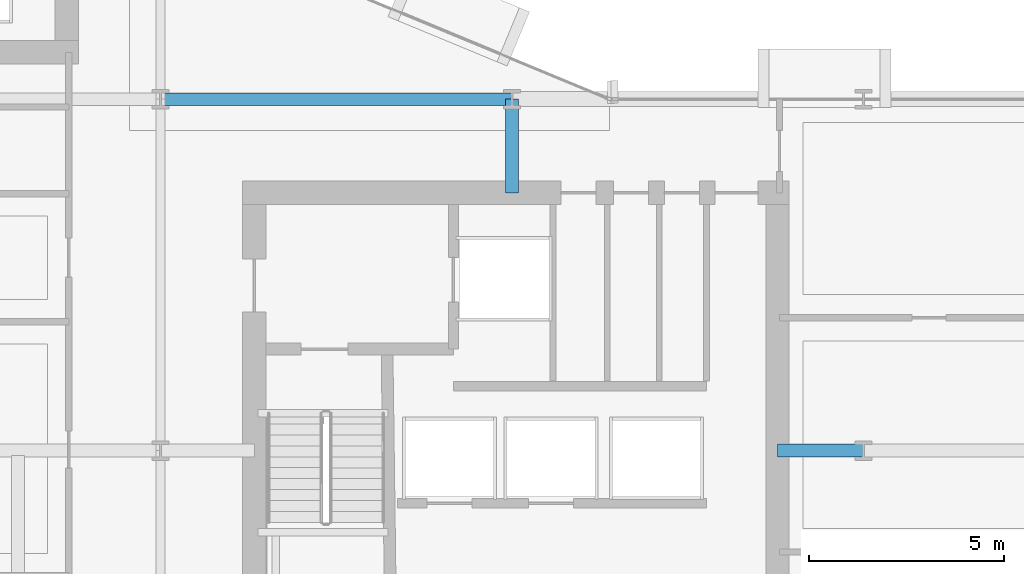
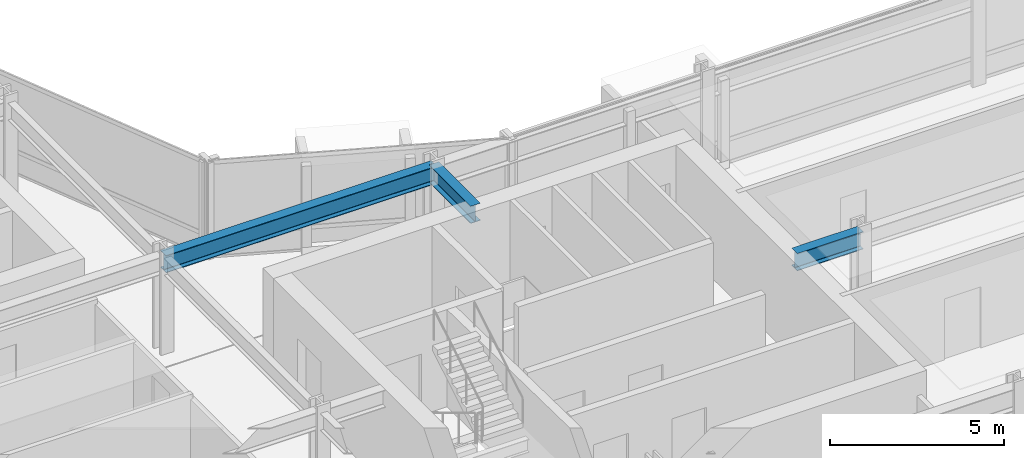
# One storey, part 14 of 34: 3 beams.
"""IFC4 building model written with IfcOpenShell, lengths in metres."""

from ifc_helpers import new_model, si_unit, direction, frame, origin, origin_2d, place, context, subcontext, project, spatial, i_section, extrude, material, material_profile, profile_set, type_object, element, save


model = new_model("IFC4")

# Units and contexts
model_context = context("Model", 3, precision=1e-05, world=origin(), true_north=direction((0.0, 1.0)))
body_context = subcontext(model_context, "Body", "Model", "MODEL_VIEW")
ifc_project = project(units=[si_unit("LENGTHUNIT", "METRE"), si_unit("AREAUNIT", "SQUARE_METRE"), si_unit("VOLUMEUNIT", "CUBIC_METRE"), si_unit("PLANEANGLEUNIT", "RADIAN"), si_unit("MASSUNIT", "GRAM", prefix="KILO")], contexts=[model_context])

# Site, building, storey
site_placement = place(None, origin())
site = spatial("IfcSite", under=ifc_project, at=site_placement, CompositionType="ELEMENT")
building_placement = place(site_placement, origin())
building = spatial("IfcBuilding", under=site, at=building_placement, Name="Solvaryn Broadcast Tower", CompositionType="ELEMENT")
storey_placement = place(building_placement, frame((0.0, 0.0, 43.39990234375)))
storey = spatial("IfcBuildingStorey", under=building, at=storey_placement, Name="L09", CompositionType="ELEMENT", Elevation=43.39990234375)

# Beams
ifc_material = material(Name="Steel ASTM A992 Grade 50", Category="steel")
ifc_material_profile = material_profile(ifc_material, i_section(OverallWidth=0.323974609375, OverallDepth=0.611083984375, WebThickness=0.0126953125, FlangeThickness=0.01904296875, FilletRadius=0.014892578125, at=origin_2d()))
ifc_profile_set = profile_set([ifc_material_profile], Name="Steel ASTM A992 Grade 50")
beam_type = type_object("IfcBeamType", Name="BM-B1-W24X104", PredefinedType="BEAM", material=ifc_profile_set)
beam_1_placement = place(storey_placement, frame((27.0, 27.0, 3.114501953125), z_axis=(1.0, 0.0, 0.0), x_axis=(0.0, 1.0, 0.0)))
element("IfcBeam", 1, at=beam_1_placement, inside=storey, type_object=beam_type, Name="L09 Primary Beam X (27-36 @ Y=27)", PredefinedType="BEAM", context=body_context, shape_type="SweptSolid", body=[
    extrude(i_section(OverallWidth=0.323974609375, OverallDepth=0.611083984375, WebThickness=0.0126953125, FlangeThickness=0.01904296875, FilletRadius=0.014892578125, at=origin_2d()), origin(), (0.0, 0.0, 1.0), 9.0),
])
beam_2_placement = place(storey_placement, frame((36.0, 24.60009765625, 3.114501953125), z_axis=(0.0, 1.0, 0.0), x_axis=(-1.0, 0.0, 0.0)))
element("IfcBeam", 2, at=beam_2_placement, inside=storey, type_object=beam_type, Name="L09 Core Tie Beam CTE2", PredefinedType="BEAM", context=body_context, shape_type="SweptSolid", body=[
    extrude(i_section(OverallWidth=0.323974609375, OverallDepth=0.611083984375, WebThickness=0.0126953125, FlangeThickness=0.01904296875, FilletRadius=0.014892578125, at=origin_2d()), origin(), (0.0, 0.0, 1.0), 2.39990234375),
])
beam_3_placement = place(storey_placement, frame((42.800048828125, 18.0, 3.114501953125), z_axis=(1.0, 0.0, 0.0), x_axis=(0.0, 1.0, 0.0)))
element("IfcBeam", 3, at=beam_3_placement, inside=storey, type_object=beam_type, Name="L09 Core Tie Beam CTE3", PredefinedType="BEAM", context=body_context, shape_type="SweptSolid", body=[
    extrude(i_section(OverallWidth=0.323974609375, OverallDepth=0.611083984375, WebThickness=0.0126953125, FlangeThickness=0.01904296875, FilletRadius=0.014892578125, at=origin_2d()), origin(), (0.0, 0.0, 1.0), 2.199951171875),
])

save(model, "model.ifc")
